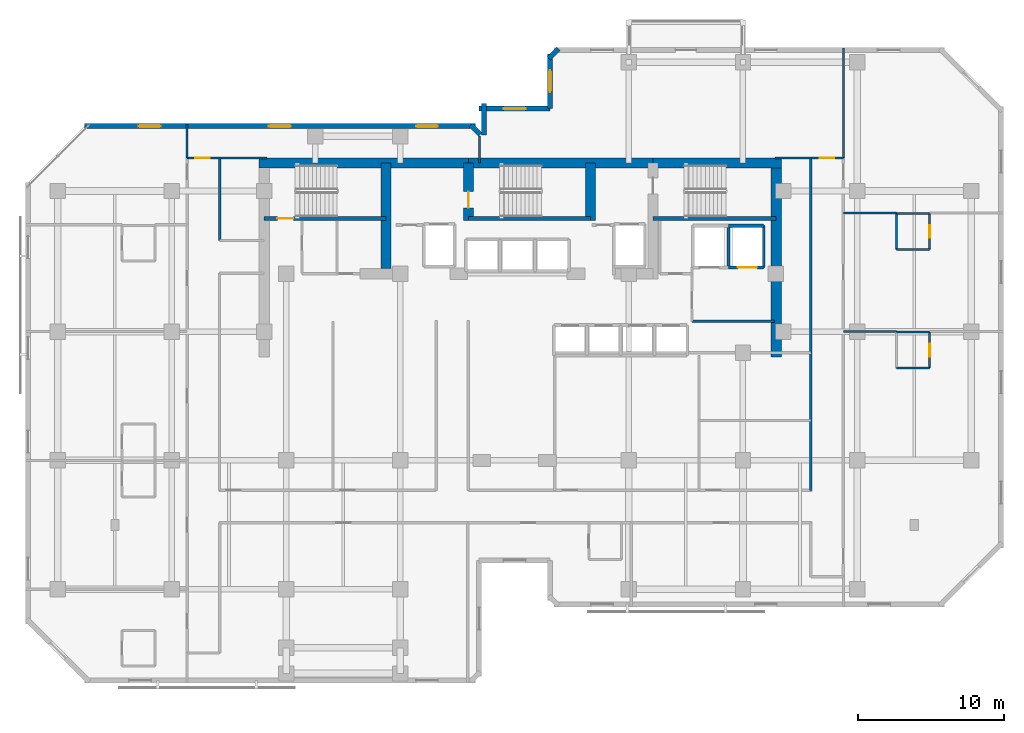
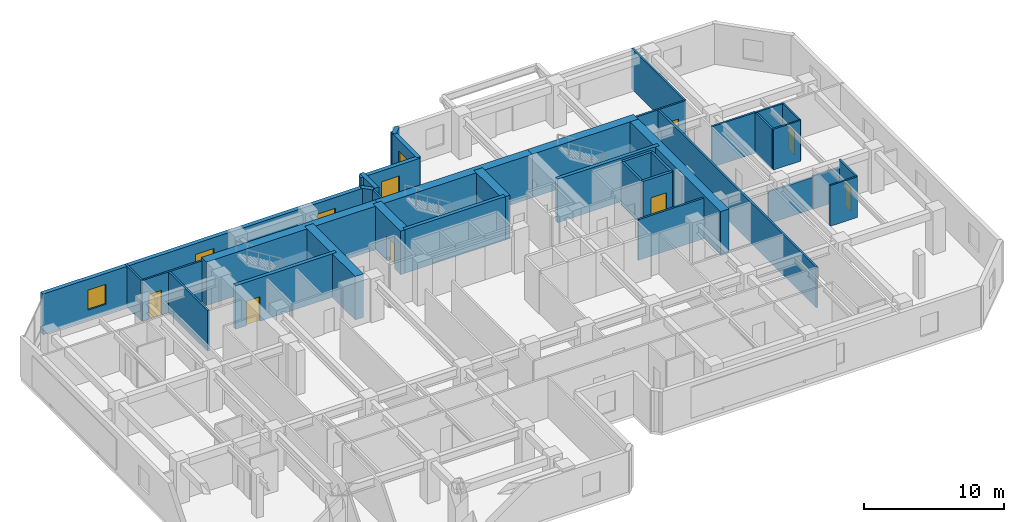
# One storey, part 7 of 10: 37 walls, 7 doors, 5 windows, 12 openings.
"""IFC4 building model written with IfcOpenShell, lengths in metres."""

from ifc_helpers import new_model, si_unit, direction, frame, frame_2d, origin, place, context, subcontext, project, spatial, rectangle, extrude, material, layer, layer_set, type_object, element, fill, save


model = new_model("IFC4")

# Units and contexts
model_context = context("Model", 3, precision=1e-05, world=origin(), true_north=direction((0.0, 1.0)))
body_context = subcontext(model_context, "Body", "Model", "MODEL_VIEW")
ifc_project = project(units=[si_unit("LENGTHUNIT", "METRE"), si_unit("AREAUNIT", "SQUARE_METRE"), si_unit("VOLUMEUNIT", "CUBIC_METRE"), si_unit("PLANEANGLEUNIT", "RADIAN"), si_unit("MASSUNIT", "GRAM", prefix="KILO")], contexts=[model_context])

# Site, building, storey
site_placement = place(None, origin())
site = spatial("IfcSite", under=ifc_project, at=site_placement, CompositionType="ELEMENT")
building_placement = place(site_placement, origin())
building = spatial("IfcBuilding", under=site, at=building_placement, Name="Kestravale Grand Hotel", CompositionType="ELEMENT")
storey_placement = place(building_placement, frame((0.0, 0.0, 149.800048828125)))
storey = spatial("IfcBuildingStorey", under=building, at=storey_placement, Name="L37", CompositionType="ELEMENT", Elevation=149.800048828125)

# Walls
ifc_material_1 = material(Name="Concrete f'c 60 MPa", Category="concrete")
ifc_layer_1 = layer(ifc_material_1, 0.699951171875)
ifc_layer_set_1 = layer_set([ifc_layer_1], Name="EW-CORE-700")
wall_type_1 = type_object("IfcWallType", Name="EW-CORE-700", PredefinedType="SHEAR", material=ifc_layer_set_1)
wall_1_placement = place(storey_placement, frame((21.550048828125, 40.320068359375, 0.0), z_axis=(0.0, 0.0, 1.0), x_axis=(1.0, 0.0, 0.0)))
element("IfcWall", 1, at=wall_1_placement, inside=storey, type_object=wall_type_1, Name="L37 core shear wall N1", PredefinedType="SHEAR", context=body_context, shape_type="SweptSolid", body=[
    extrude(rectangle(XDim=14.300048828125, YDim=0.699951171875, at=frame_2d((7.14990234375, 0.0))), origin(), (0.0, 0.0, 1.0), 3.800048828125),
])
wall_2_placement = place(storey_placement, frame((35.85009765625, 40.320068359375, 0.0), z_axis=(0.0, 0.0, 1.0), x_axis=(1.0, 0.0, 0.0)))
element("IfcWall", 2, at=wall_2_placement, inside=storey, type_object=wall_type_1, Name="L37 core shear wall N2", PredefinedType="SHEAR", context=body_context, shape_type="SweptSolid", body=[
    extrude(rectangle(XDim=12.599853515625, YDim=0.699951171875, at=frame_2d((6.2998046875, 0.0))), origin(), (0.0, 0.0, 1.0), 3.800048828125),
])
wall_3_placement = place(storey_placement, frame((48.449951171875, 40.320068359375, 0.0), z_axis=(0.0, 0.0, 1.0), x_axis=(1.0, 0.0, 0.0)))
element("IfcWall", 3, at=wall_3_placement, inside=storey, type_object=wall_type_1, Name="L37 core shear wall N3", PredefinedType="SHEAR", context=body_context, shape_type="SweptSolid", body=[
    extrude(rectangle(XDim=8.77001953125, YDim=0.699951171875, at=frame_2d((4.385009765625, 0.0))), origin(), (0.0, 0.0, 1.0), 3.800048828125),
])
wall_4_placement = place(storey_placement, frame((56.8701171875, 27.050048828125, 0.0), z_axis=(0.0, 0.0, 1.0), x_axis=(0.0, 1.0, 0.0)))
element("IfcWall", 4, at=wall_4_placement, inside=storey, type_object=wall_type_1, Name="L37 core shear wall E1", PredefinedType="SHEAR", context=body_context, shape_type="SweptSolid", body=[
    extrude(rectangle(XDim=13.619873046875, YDim=0.699951171875, at=frame_2d((6.81005859375, 0.0))), origin(), (0.0, 0.0, 1.0), 3.800048828125),
])
wall_5_placement = place(storey_placement, frame((30.219970703125, 33.10009765625, 0.0), z_axis=(0.0, 0.0, 1.0), x_axis=(0.0, 1.0, 0.0)))
element("IfcWall", 5, at=wall_5_placement, inside=storey, type_object=wall_type_1, Name="L37 core shear wall X1", PredefinedType="SHEAR", context=body_context, shape_type="SweptSolid", body=[
    extrude(rectangle(XDim=7.219970703125, YDim=0.699951171875, at=frame_2d((3.60986328125, 0.0))), origin(), (0.0, 0.0, 1.0), 3.800048828125),
])

# Wall, opening, door
wall_6_placement = place(storey_placement, frame((35.85009765625, 36.3701171875, 0.0), z_axis=(0.0, 0.0, 1.0), x_axis=(0.0, 1.0, 0.0)))
wall_6 = element("IfcWall", 6, at=wall_6_placement, inside=storey, type_object=wall_type_1, Name="L37 core shear wall X2", PredefinedType="SHEAR", context=body_context, shape_type="SweptSolid", body=[
    extrude(rectangle(XDim=3.949951171875, YDim=0.699951171875, at=frame_2d((1.97509765625, 0.0))), origin(), (0.0, 0.0, 1.0), 3.800048828125),
])
opening_1_placement = place(wall_6_placement, frame((0.8798828125, 0.0, 0.0)))
opening_1 = element("IfcOpeningElement", 7, at=opening_1_placement, cuts=wall_6, Name="Opening D-ST-1100", PredefinedType="OPENING", context=body_context, shape_type="SweptSolid", body=[
    extrude(rectangle(XDim=1.10009765625, YDim=2.14990234375, at=frame_2d((0.550048828125, 1.074951171875))), frame((0.0, 0.35986328125, 0.0), z_axis=(0.0, -1.0, 0.0), x_axis=(1.0, 0.0, 0.0)), (0.0, 0.0, 1.0), 0.719970703125),
])
ifc_material_2 = material(Name="Galvanised 90-minute fire-rated steel stair door", Category="steel")
door_type_1 = type_object("IfcDoorType", Name="D-ST-1100", OperationType="NOTDEFINED", PredefinedType="DOOR", material=ifc_material_2)
door_1_placement = place(opening_1_placement, origin())
door_1 = element("IfcDoor", 8, at=door_1_placement, inside=storey, type_object=door_type_1, Name="L37 Stair ST-2 FSAE fire door", OperationType="SINGLE_SWING_RIGHT", OverallHeight=2.14990234375, OverallWidth=1.10009765625, PredefinedType="DOOR", context=body_context, shape_type="SweptSolid", body=[
    extrude(rectangle(XDim=1.10009765625, YDim=2.14990234375, at=frame_2d((0.550048828125, 1.074951171875))), frame((0.0, 0.02490234375, 0.0), z_axis=(0.0, -1.0, 0.0), x_axis=(1.0, 0.0, 0.0)), (0.0, 0.0, 1.0), 0.050048828125),
])
fill(opening_1, door_1)

# Walls
wall_7_placement = place(storey_placement, frame((44.179931640625, 36.3701171875, 0.0), z_axis=(0.0, 0.0, 1.0), x_axis=(0.0, 1.0, 0.0)))
element("IfcWall", 9, at=wall_7_placement, inside=storey, type_object=wall_type_1, Name="L37 core shear wall X3", PredefinedType="SHEAR", context=body_context, shape_type="SweptSolid", body=[
    extrude(rectangle(XDim=3.949951171875, YDim=0.699951171875, at=frame_2d((1.97509765625, 0.0))), origin(), (0.0, 0.0, 1.0), 3.800048828125),
])
ifc_material_3 = material(Name="Precast concrete f'c 45 MPa", Category="concrete")
ifc_layer_2 = layer(ifc_material_3, 0.340087890625)
ifc_layer_set_2 = layer_set([ifc_layer_2], Name="EW-PREC-340")
wall_type_2 = type_object("IfcWallType", Name="EW-PREC-340", PredefinedType="SOLIDWALL", material=ifc_layer_set_2)
wall_8_placement = place(storey_placement, frame((41.99853515625, 48.108154296875, 0.0), z_axis=(0.0, 0.0, 1.0), x_axis=(-0.707106781187, -0.707106781187, 0.0)))
element("IfcWall", 10, at=wall_8_placement, inside=storey, type_object=wall_type_2, Name="L37 fluted precast facade wall 12", PredefinedType="SOLIDWALL", context=body_context, shape_type="SweptSolid", body=[
    extrude(rectangle(XDim=0.9287109375, YDim=0.340087890625, at=frame_2d((0.46435546875, 0.0))), origin(), (0.0, 0.0, 1.0), 3.550048828125),
])

# Wall, opening, window
wall_9_placement = place(storey_placement, frame((41.419921875, 47.77001953125, 0.0), z_axis=(0.0, 0.0, 1.0), x_axis=(0.0, -1.0, 0.0)))
wall_9 = element("IfcWall", 11, at=wall_9_placement, inside=storey, type_object=wall_type_2, Name="L37 fluted precast facade wall 13", PredefinedType="SOLIDWALL", context=body_context, shape_type="SweptSolid", body=[
    extrude(rectangle(XDim=3.739990234375, YDim=0.340087890625, at=frame_2d((1.8701171875, 0.0))), origin(), (0.0, 0.0, 1.0), 3.550048828125),
])
opening_2_placement = place(wall_9_placement, frame((1.1201171875, 0.0, 0.85009765625)))
opening_2 = element("IfcOpeningElement", 12, at=opening_2_placement, cuts=wall_9, Name="Opening W-GUEST-1500", PredefinedType="OPENING", context=body_context, shape_type="SweptSolid", body=[
    extrude(rectangle(XDim=1.5, YDim=1.75, at=frame_2d((0.75, 0.875))), frame((0.0, 0.179931640625, 0.0), z_axis=(0.0, -1.0, 0.0), x_axis=(1.0, 0.0, 0.0)), (0.0, 0.0, 1.0), 0.360107421875),
])
ifc_material_4 = material(Name="Insulated low-E double glazing in aluminium frame", Category="aluminium")
window_type = type_object("IfcWindowType", Name="W-GUEST-1500", PartitioningType="SINGLE_PANEL", PredefinedType="WINDOW", material=ifc_material_4)
window_1_placement = place(opening_2_placement, origin())
window_1 = element("IfcWindow", 13, at=window_1_placement, inside=storey, type_object=window_type, Name="L37 exterior window 13.1", OverallHeight=1.75, OverallWidth=1.5, PartitioningType="SINGLE_PANEL", PredefinedType="WINDOW", context=body_context, shape_type="SweptSolid", body=[
    extrude(rectangle(XDim=1.5, YDim=1.75, at=frame_2d((0.75, 0.875))), frame((0.0, 0.030029296875, 0.0), z_axis=(0.0, -1.0, 0.0), x_axis=(1.0, 0.0, 0.0)), (0.0, 0.0, 1.0), 0.06005859375),
])
fill(opening_2, window_1)

wall_10_placement = place(storey_placement, frame((41.419921875, 44.030029296875, 0.0), z_axis=(0.0, 0.0, 1.0), x_axis=(-1.0, 0.0, 0.0)))
wall_10 = element("IfcWall", 14, at=wall_10_placement, inside=storey, type_object=wall_type_2, Name="L37 fluted precast facade wall 14", PredefinedType="SOLIDWALL", context=body_context, shape_type="SweptSolid", body=[
    extrude(rectangle(XDim=4.83984375, YDim=0.340087890625, at=frame_2d((2.419921875, 0.0))), origin(), (0.0, 0.0, 1.0), 3.550048828125),
])
opening_3_placement = place(wall_10_placement, frame((1.669921875, 0.0, 0.85009765625)))
opening_3 = element("IfcOpeningElement", 15, at=opening_3_placement, cuts=wall_10, Name="Opening W-GUEST-1500", PredefinedType="OPENING", context=body_context, shape_type="SweptSolid", body=[
    extrude(rectangle(XDim=1.5, YDim=1.75, at=frame_2d((0.75, 0.875))), frame((0.0, 0.179931640625, 0.0), z_axis=(0.0, -1.0, 0.0), x_axis=(1.0, 0.0, 0.0)), (0.0, 0.0, 1.0), 0.360107421875),
])
window_2_placement = place(opening_3_placement, origin())
window_2 = element("IfcWindow", 16, at=window_2_placement, inside=storey, type_object=window_type, Name="L37 exterior window 14.1", OverallHeight=1.75, OverallWidth=1.5, PartitioningType="SINGLE_PANEL", PredefinedType="WINDOW", context=body_context, shape_type="SweptSolid", body=[
    extrude(rectangle(XDim=1.5, YDim=1.75, at=frame_2d((0.75, 0.875))), frame((0.0, 0.030029296875, 0.0), z_axis=(0.0, -1.0, 0.0), x_axis=(1.0, 0.0, 0.0)), (0.0, 0.0, 1.0), 0.06005859375),
])
fill(opening_3, window_2)

# Walls
wall_11_placement = place(storey_placement, frame((36.919921875, 44.3701171875, 0.0), z_axis=(0.0, 0.0, 1.0), x_axis=(0.0, -1.0, 0.0)))
element("IfcWall", 17, at=wall_11_placement, inside=storey, type_object=wall_type_2, Name="L37 fluted precast facade wall 15", PredefinedType="SOLIDWALL", context=body_context, shape_type="SweptSolid", body=[
    extrude(rectangle(XDim=2.14013671875, YDim=0.340087890625, at=frame_2d((1.070068359375, 0.0))), origin(), (0.0, 0.0, 1.0), 3.550048828125),
])
wall_12_placement = place(storey_placement, frame((36.658203125, 42.25146484375, 0.0), z_axis=(0.0, 0.0, 1.0), x_axis=(-0.707106781187, 0.707106781187, 0.0)))
element("IfcWall", 18, at=wall_12_placement, inside=storey, type_object=wall_type_2, Name="L37 fluted precast facade wall 16", PredefinedType="SOLIDWALL", context=body_context, shape_type="SweptSolid", body=[
    extrude(rectangle(XDim=0.9287109375, YDim=0.340087890625, at=frame_2d((0.46435546875, 0.0))), origin(), (0.0, 0.0, 1.0), 3.550048828125),
])

# Wall, openings, windows
wall_13_placement = place(storey_placement, frame((36.320068359375, 42.830078125, 0.0), z_axis=(0.0, 0.0, 1.0), x_axis=(-1.0, 0.0, 0.0)))
wall_13 = element("IfcWall", 19, at=wall_13_placement, inside=storey, type_object=wall_type_2, Name="L37 fluted precast facade wall 17", PredefinedType="SOLIDWALL", context=body_context, shape_type="SweptSolid", body=[
    extrude(rectangle(XDim=26.690185546875, YDim=0.340087890625, at=frame_2d((13.34521484375, 0.0))), origin(), (0.0, 0.0, 1.0), 3.550048828125),
])
opening_4_placement = place(wall_13_placement, frame((2.54833984375, 0.0, 0.85009765625)))
opening_4 = element("IfcOpeningElement", 20, at=opening_4_placement, cuts=wall_13, Name="Opening W-GUEST-1500", PredefinedType="OPENING", context=body_context, shape_type="SweptSolid", body=[
    extrude(rectangle(XDim=1.5, YDim=1.75, at=frame_2d((0.75, 0.875))), frame((0.0, 0.179931640625, 0.0), z_axis=(0.0, -1.0, 0.0), x_axis=(1.0, 0.0, 0.0)), (0.0, 0.0, 1.0), 0.360107421875),
])
opening_5_placement = place(wall_13_placement, frame((12.594970703125, 0.0, 0.85009765625)))
opening_5 = element("IfcOpeningElement", 21, at=opening_5_placement, cuts=wall_13, Name="Opening W-GUEST-1500", PredefinedType="OPENING", context=body_context, shape_type="SweptSolid", body=[
    extrude(rectangle(XDim=1.5, YDim=1.75, at=frame_2d((0.75, 0.875))), frame((0.0, 0.179931640625, 0.0), z_axis=(0.0, -1.0, 0.0), x_axis=(1.0, 0.0, 0.0)), (0.0, 0.0, 1.0), 0.360107421875),
])
opening_6_placement = place(wall_13_placement, frame((21.49169921875, 0.0, 0.85009765625)))
opening_6 = element("IfcOpeningElement", 22, at=opening_6_placement, cuts=wall_13, Name="Opening W-GUEST-1500", PredefinedType="OPENING", context=body_context, shape_type="SweptSolid", body=[
    extrude(rectangle(XDim=1.5, YDim=1.75, at=frame_2d((0.75, 0.875))), frame((0.0, 0.179931640625, 0.0), z_axis=(0.0, -1.0, 0.0), x_axis=(1.0, 0.0, 0.0)), (0.0, 0.0, 1.0), 0.360107421875),
])
window_3_placement = place(opening_4_placement, origin())
window_3 = element("IfcWindow", 23, at=window_3_placement, inside=storey, type_object=window_type, Name="L37 exterior window 17.1", OverallHeight=1.75, OverallWidth=1.5, PartitioningType="SINGLE_PANEL", PredefinedType="WINDOW", context=body_context, shape_type="SweptSolid", body=[
    extrude(rectangle(XDim=1.5, YDim=1.75, at=frame_2d((0.75, 0.875))), frame((0.0, 0.030029296875, 0.0), z_axis=(0.0, -1.0, 0.0), x_axis=(1.0, 0.0, 0.0)), (0.0, 0.0, 1.0), 0.06005859375),
])
fill(opening_4, window_3)
window_4_placement = place(opening_5_placement, origin())
window_4 = element("IfcWindow", 24, at=window_4_placement, inside=storey, type_object=window_type, Name="L37 exterior window 17.2", OverallHeight=1.75, OverallWidth=1.5, PartitioningType="SINGLE_PANEL", PredefinedType="WINDOW", context=body_context, shape_type="SweptSolid", body=[
    extrude(rectangle(XDim=1.5, YDim=1.75, at=frame_2d((0.75, 0.875))), frame((0.0, 0.030029296875, 0.0), z_axis=(0.0, -1.0, 0.0), x_axis=(1.0, 0.0, 0.0)), (0.0, 0.0, 1.0), 0.06005859375),
])
fill(opening_5, window_4)
window_5_placement = place(opening_6_placement, origin())
window_5 = element("IfcWindow", 25, at=window_5_placement, inside=storey, type_object=window_type, Name="L37 exterior window 17.3", OverallHeight=1.75, OverallWidth=1.5, PartitioningType="SINGLE_PANEL", PredefinedType="WINDOW", context=body_context, shape_type="SweptSolid", body=[
    extrude(rectangle(XDim=1.5, YDim=1.75, at=frame_2d((0.75, 0.875))), frame((0.0, 0.030029296875, 0.0), z_axis=(0.0, -1.0, 0.0), x_axis=(1.0, 0.0, 0.0)), (0.0, 0.0, 1.0), 0.06005859375),
])
fill(opening_6, window_5)

# Wall, opening, door
ifc_material_5 = material(Name="Concrete f'c 45 MPa", Category="concrete")
ifc_layer_3 = layer(ifc_material_5, 0.300048828125)
ifc_layer_set_3 = layer_set([ifc_layer_3], Name="EW-STAIR-300")
wall_type_3 = type_object("IfcWallType", Name="EW-STAIR-300", PredefinedType="SHEAR", material=ifc_layer_set_3)
wall_14_placement = place(storey_placement, frame((21.89990234375, 36.52001953125, 0.0), z_axis=(0.0, 0.0, 1.0), x_axis=(1.0, 0.0, 0.0)))
wall_14 = element("IfcWall", 26, at=wall_14_placement, inside=storey, type_object=wall_type_3, Name="L37 stair enclosure shear wall SST1", PredefinedType="SHEAR", context=body_context, shape_type="SweptSolid", body=[
    extrude(rectangle(XDim=8.320068359375, YDim=0.300048828125, at=frame_2d((4.16015625, 0.0))), origin(), (0.0, 0.0, 1.0), 3.800048828125),
])
opening_7_placement = place(wall_14_placement, frame((0.89990234375, 0.0, 0.0)))
opening_7 = element("IfcOpeningElement", 27, at=opening_7_placement, cuts=wall_14, Name="Opening D-ST-1100", PredefinedType="OPENING", context=body_context, shape_type="SweptSolid", body=[
    extrude(rectangle(XDim=1.10009765625, YDim=2.14990234375, at=frame_2d((0.550048828125, 1.074951171875))), frame((0.0, 0.159912109375, 0.0), z_axis=(0.0, -1.0, 0.0), x_axis=(1.0, 0.0, 0.0)), (0.0, 0.0, 1.0), 0.320068359375),
])
door_2_placement = place(opening_7_placement, origin())
door_2 = element("IfcDoor", 28, at=door_2_placement, inside=storey, type_object=door_type_1, Name="L37 Stair ST-1 fire door", OperationType="SINGLE_SWING_RIGHT", OverallHeight=2.14990234375, OverallWidth=1.10009765625, PredefinedType="DOOR", context=body_context, shape_type="SweptSolid", body=[
    extrude(rectangle(XDim=1.10009765625, YDim=2.14990234375, at=frame_2d((0.550048828125, 1.074951171875))), frame((0.0, 0.02490234375, 0.0), z_axis=(0.0, -1.0, 0.0), x_axis=(1.0, 0.0, 0.0)), (0.0, 0.0, 1.0), 0.050048828125),
])
fill(opening_7, door_2)

# Walls
wall_15_placement = place(storey_placement, frame((35.85009765625, 36.52001953125, 0.0), z_axis=(0.0, 0.0, 1.0), x_axis=(1.0, 0.0, 0.0)))
element("IfcWall", 29, at=wall_15_placement, inside=storey, type_object=wall_type_3, Name="L37 stair enclosure shear wall SST2", PredefinedType="SHEAR", context=body_context, shape_type="SweptSolid", body=[
    extrude(rectangle(XDim=8.329833984375, YDim=0.300048828125, at=frame_2d((4.1650390625, 0.0))), origin(), (0.0, 0.0, 1.0), 3.800048828125),
])
wall_16_placement = place(storey_placement, frame((48.449951171875, 36.52001953125, 0.0), z_axis=(0.0, 0.0, 1.0), x_axis=(1.0, 0.0, 0.0)))
element("IfcWall", 30, at=wall_16_placement, inside=storey, type_object=wall_type_3, Name="L37 stair enclosure shear wall SST3", PredefinedType="SHEAR", context=body_context, shape_type="SweptSolid", body=[
    extrude(rectangle(XDim=8.420166015625, YDim=0.300048828125, at=frame_2d((4.2099609375, 0.0))), origin(), (0.0, 0.0, 1.0), 3.800048828125),
])
ifc_material_6 = material(Name="Acoustic fire-rated gypsum board partition", Category="other")
ifc_layer_4 = layer(ifc_material_6, 0.159912109375)
ifc_layer_set_4 = layer_set([ifc_layer_4], Name="IW-CORR-160")
wall_type_4 = type_object("IfcWallType", Name="IW-CORR-160", PredefinedType="PARTITIONING", material=ifc_layer_set_4)
for number, where, z_axis, x_axis, name in (
    (31, (51.1201171875, 29.5, 0.0), (0.0, 0.0, 1.0), (1.0, 0.0, 0.0), "L37 service lift lobby wall"),
    (32, (18.860107421875, 35.02001953125, 0.0), (0.0, 0.0, 1.0), (0.0, 1.0, 0.0), "W-L37-SW-EN"),
):
    element("IfcWall", number, at=place(storey_placement, frame(where, z_axis=z_axis, x_axis=x_axis)), inside=storey, type_object=wall_type_4, Name=name, PredefinedType="PARTITIONING", context=body_context, shape_type="SweptSolid", body=[
        extrude(rectangle(XDim=5.6298828125, YDim=0.159912109375, at=frame_2d((2.81494140625, 0.0))), origin(), (0.0, 0.0, 1.0), 3.550048828125),
    ])
wall_17_placement = place(storey_placement, frame((59.239990234375, 17.9599609375, 0.0), z_axis=(0.0, 0.0, 1.0), x_axis=(0.0, 1.0, 0.0)))
element("IfcWall", 33, at=wall_17_placement, inside=storey, type_object=wall_type_4, Name="W-L37-SE-WU", PredefinedType="PARTITIONING", context=body_context, shape_type="SweptSolid", body=[
    extrude(rectangle(XDim=22.68994140625, YDim=0.159912109375, at=frame_2d((11.344970703125, 0.0))), origin(), (0.0, 0.0, 1.0), 3.550048828125),
])

# Wall, opening, door
ifc_material_7 = material(Name="Moisture-resistant tile-backer plumbing chase wall", Category="other")
ifc_layer_5 = layer(ifc_material_7, 0.139892578125)
ifc_layer_set_5 = layer_set([ifc_layer_5], Name="IW-PLB-140")
wall_type_5 = type_object("IfcWallType", Name="IW-PLB-140", PredefinedType="PLUMBINGWALL", material=ifc_layer_set_5)
wall_18_placement = place(storey_placement, frame((67.35009765625, 26.31005859375, 0.0), z_axis=(0.0, 0.0, 1.0), x_axis=(0.0, 1.0, 0.0)))
wall_18 = element("IfcWall", 34, at=wall_18_placement, inside=storey, type_object=wall_type_5, Name="W-L37-U06-BE", PredefinedType="PLUMBINGWALL", context=body_context, shape_type="SweptSolid", body=[
    extrude(rectangle(XDim=2.449951171875, YDim=0.139892578125, at=frame_2d((1.22509765625, 0.0))), origin(), (0.0, 0.0, 1.0), 3.550048828125),
])
opening_8_placement = place(wall_18_placement, frame((0.784912109375, 0.0, 0.0)))
opening_8 = element("IfcOpeningElement", 35, at=opening_8_placement, cuts=wall_18, Name="Opening D-BATH-880", PredefinedType="OPENING", context=body_context, shape_type="SweptSolid", body=[
    extrude(rectangle(XDim=0.8798828125, YDim=2.050048828125, at=frame_2d((0.43994140625, 1.02490234375))), frame((0.0, 0.079833984375, 0.0), z_axis=(0.0, -1.0, 0.0), x_axis=(1.0, 0.0, 0.0)), (0.0, 0.0, 1.0), 0.159912109375),
])
ifc_material_8 = material(Name="Moisture-sealed walnut en-suite bathroom door", Category="wood")
door_type_2 = type_object("IfcDoorType", Name="D-BATH-880", OperationType="NOTDEFINED", PredefinedType="DOOR", material=ifc_material_8)
door_3_placement = place(opening_8_placement, origin())
door_3 = element("IfcDoor", 36, at=door_3_placement, inside=storey, type_object=door_type_2, Name="D-L37-U06-BATH", OperationType="SINGLE_SWING_RIGHT", OverallHeight=2.050048828125, OverallWidth=0.8798828125, PredefinedType="DOOR", context=body_context, shape_type="SweptSolid", body=[
    extrude(rectangle(XDim=0.8798828125, YDim=2.050048828125, at=frame_2d((0.43994140625, 1.02490234375))), frame((0.0, 0.02490234375, 0.0), z_axis=(0.0, -1.0, 0.0), x_axis=(1.0, 0.0, 0.0)), (0.0, 0.0, 1.0), 0.050048828125),
])
fill(opening_8, door_3)

# Walls
wall_19_placement = place(storey_placement, frame((65.10009765625, 26.31005859375, 0.0), z_axis=(0.0, 0.0, 1.0), x_axis=(1.0, 0.0, 0.0)))
element("IfcWall", 37, at=wall_19_placement, inside=storey, type_object=wall_type_5, Name="W-L37-U06-BS", PredefinedType="PLUMBINGWALL", context=body_context, shape_type="SweptSolid", body=[
    extrude(rectangle(XDim=2.25, YDim=0.139892578125, at=frame_2d((1.125, 0.0))), origin(), (0.0, 0.0, 1.0), 3.550048828125),
])
wall_20_placement = place(storey_placement, frame((65.10009765625, 28.760009765625, 0.0), z_axis=(0.0, 0.0, 1.0), x_axis=(1.0, 0.0, 0.0)))
element("IfcWall", 38, at=wall_20_placement, inside=storey, type_object=wall_type_5, Name="W-L37-U06-BN", PredefinedType="PLUMBINGWALL", context=body_context, shape_type="SweptSolid", body=[
    extrude(rectangle(XDim=2.25, YDim=0.139892578125, at=frame_2d((1.125, 0.0))), origin(), (0.0, 0.0, 1.0), 2.89990234375),
])
wall_21_placement = place(storey_placement, frame((65.10009765625, 34.409912109375, 0.0), z_axis=(0.0, 0.0, 1.0), x_axis=(0.0, 1.0, 0.0)))
element("IfcWall", 39, at=wall_21_placement, inside=storey, type_object=wall_type_5, Name="W-L37-U07-BW", PredefinedType="PLUMBINGWALL", context=body_context, shape_type="SweptSolid", body=[
    extrude(rectangle(XDim=2.4501953125, YDim=0.139892578125, at=frame_2d((1.22509765625, 0.0))), origin(), (0.0, 0.0, 1.0), 3.550048828125),
])

# Wall, opening, door
wall_22_placement = place(storey_placement, frame((67.35009765625, 34.409912109375, 0.0), z_axis=(0.0, 0.0, 1.0), x_axis=(0.0, 1.0, 0.0)))
wall_22 = element("IfcWall", 40, at=wall_22_placement, inside=storey, type_object=wall_type_5, Name="W-L37-U07-BE", PredefinedType="PLUMBINGWALL", context=body_context, shape_type="SweptSolid", body=[
    extrude(rectangle(XDim=2.4501953125, YDim=0.139892578125, at=frame_2d((1.22509765625, 0.0))), origin(), (0.0, 0.0, 1.0), 3.550048828125),
])
opening_9_placement = place(wall_22_placement, frame((0.784912109375, 0.0, 0.0)))
opening_9 = element("IfcOpeningElement", 41, at=opening_9_placement, cuts=wall_22, Name="Opening D-BATH-880", PredefinedType="OPENING", context=body_context, shape_type="SweptSolid", body=[
    extrude(rectangle(XDim=0.8798828125, YDim=2.050048828125, at=frame_2d((0.43994140625, 1.02490234375))), frame((0.0, 0.079833984375, 0.0), z_axis=(0.0, -1.0, 0.0), x_axis=(1.0, 0.0, 0.0)), (0.0, 0.0, 1.0), 0.159912109375),
])
door_4_placement = place(opening_9_placement, origin())
door_4 = element("IfcDoor", 42, at=door_4_placement, inside=storey, type_object=door_type_2, Name="D-L37-U07-BATH", OperationType="SINGLE_SWING_RIGHT", OverallHeight=2.050048828125, OverallWidth=0.8798828125, PredefinedType="DOOR", context=body_context, shape_type="SweptSolid", body=[
    extrude(rectangle(XDim=0.8798828125, YDim=2.050048828125, at=frame_2d((0.43994140625, 1.02490234375))), frame((0.0, 0.02490234375, 0.0), z_axis=(0.0, -1.0, 0.0), x_axis=(1.0, 0.0, 0.0)), (0.0, 0.0, 1.0), 0.050048828125),
])
fill(opening_9, door_4)

# Walls
for number, where, z_axis, x_axis, name in (
    (43, (65.10009765625, 34.409912109375, 0.0), (0.0, 0.0, 1.0), (1.0, 0.0, 0.0), "W-L37-U07-BS"),
    (44, (65.10009765625, 36.860107421875, 0.0), (0.0, 0.0, 1.0), (1.0, 0.0, 0.0), "W-L37-U07-BN"),
):
    element("IfcWall", number, at=place(storey_placement, frame(where, z_axis=z_axis, x_axis=x_axis)), inside=storey, type_object=wall_type_5, Name=name, PredefinedType="PLUMBINGWALL", context=body_context, shape_type="SweptSolid", body=[
        extrude(rectangle(XDim=2.25, YDim=0.139892578125, at=frame_2d((1.125, 0.0))), origin(), (0.0, 0.0, 1.0), 3.550048828125),
    ])
ifc_material_9 = material(Name="Concrete f'c 45 MPa", Category="concrete")
ifc_layer_6 = layer(ifc_material_9, 0.199951171875)
ifc_layer_set_6 = layer_set([ifc_layer_6], Name="IW-SHAFT-200")
wall_type_6 = type_object("IfcWallType", Name="IW-SHAFT-200", PredefinedType="SHEAR", material=ifc_layer_set_6)
for number, where, z_axis, x_axis, name in (
    (45, (53.60009765625, 33.169921875, 0.0), (0.0, 0.0, 1.0), (0.0, 1.0, 0.0), "L37 SL-2 west shaft wall"),
    (46, (56.02001953125, 33.169921875, 0.0), (0.0, 0.0, 1.0), (0.0, 1.0, 0.0), "L37 SL-2 east shaft wall"),
):
    element("IfcWall", number, at=place(storey_placement, frame(where, z_axis=z_axis, x_axis=x_axis)), inside=storey, type_object=wall_type_6, Name=name, PredefinedType="SHEAR", context=body_context, shape_type="SweptSolid", body=[
        extrude(rectangle(XDim=2.860107421875, YDim=0.199951171875, at=frame_2d((1.43017578125, 0.0))), origin(), (0.0, 0.0, 1.0), 3.800048828125),
    ])
ifc_material_10 = material(Name="Concrete f'c 45 MPa", Category="concrete")
ifc_layer_7 = layer(ifc_material_10, 0.219970703125)
ifc_layer_set_7 = layer_set([ifc_layer_7], Name="IW-SHAFT-220")
wall_type_7 = type_object("IfcWallType", Name="IW-SHAFT-220", PredefinedType="SHEAR", material=ifc_layer_set_7)
wall_23_placement = place(storey_placement, frame((53.60009765625, 36.030029296875, 0.0), z_axis=(0.0, 0.0, 1.0), x_axis=(1.0, 0.0, 0.0)))
element("IfcWall", 47, at=wall_23_placement, inside=storey, type_object=wall_type_7, Name="L37 SL-2 north shaft wall", PredefinedType="SHEAR", context=body_context, shape_type="SweptSolid", body=[
    extrude(rectangle(XDim=2.419921875, YDim=0.219970703125, at=frame_2d((1.2099609375, 0.0))), origin(), (0.0, 0.0, 1.0), 3.800048828125),
])

# Wall, opening, door
wall_24_placement = place(storey_placement, frame((53.60009765625, 33.169921875, 0.0), z_axis=(0.0, 0.0, 1.0), x_axis=(1.0, 0.0, 0.0)))
wall_24 = element("IfcWall", 48, at=wall_24_placement, inside=storey, type_object=wall_type_7, Name="L37 SL-2 south shaft wall", PredefinedType="SHEAR", context=body_context, shape_type="SweptSolid", body=[
    extrude(rectangle(XDim=2.419921875, YDim=0.219970703125, at=frame_2d((1.2099609375, 0.0))), origin(), (0.0, 0.0, 1.0), 3.800048828125),
])
opening_10_placement = place(wall_24_placement, frame((0.64990234375, 0.0, 0.0)))
opening_10 = element("IfcOpeningElement", 49, at=opening_10_placement, cuts=wall_24, Name="Opening LD-SVC-1300", PredefinedType="OPENING", context=body_context, shape_type="SweptSolid", body=[
    extrude(rectangle(XDim=1.300048828125, YDim=2.14990234375, at=frame_2d((0.64990234375, 1.074951171875))), frame((0.0, 0.119873046875, 0.0), z_axis=(0.0, -1.0, 0.0), x_axis=(1.0, 0.0, 0.0)), (0.0, 0.0, 1.0), 0.239990234375),
])
ifc_material_11 = material(Name="Heavy-duty service sliding elevator landing door", Category="steel")
door_type_3 = type_object("IfcDoorType", Name="LD-SVC-1300", OperationType="NOTDEFINED", PredefinedType="DOOR", material=ifc_material_11)
door_5_placement = place(opening_10_placement, origin())
door_5 = element("IfcDoor", 50, at=door_5_placement, inside=storey, type_object=door_type_3, Name="L37 SL-2 elevator landing sliding door", OperationType="DOUBLE_DOOR_SLIDING", OverallHeight=2.14990234375, OverallWidth=1.300048828125, PredefinedType="DOOR", context=body_context, shape_type="SweptSolid", body=[
    extrude(rectangle(XDim=1.300048828125, YDim=2.14990234375, at=frame_2d((0.64990234375, 1.074951171875))), frame((0.0, 0.02490234375, 0.0), z_axis=(0.0, -1.0, 0.0), x_axis=(1.0, 0.0, 0.0)), (0.0, 0.0, 1.0), 0.050048828125),
])
fill(opening_10, door_5)

ifc_material_12 = material(Name="Double-stud STC 52 acoustic demising partition", Category="other")
ifc_layer_8 = layer(ifc_material_12, 0.14990234375)
ifc_layer_set_8 = layer_set([ifc_layer_8], Name="IW-UNIT-150")
wall_type_8 = type_object("IfcWallType", Name="IW-UNIT-150", PredefinedType="PARTITIONING", material=ifc_layer_set_8)
wall_25_placement = place(storey_placement, frame((16.639892578125, 40.64990234375, 0.0), z_axis=(0.0, 0.0, 1.0), x_axis=(1.0, 0.0, 0.0)))
wall_25 = element("IfcWall", 51, at=wall_25_placement, inside=storey, type_object=wall_type_8, Name="W-L37-SW-N", PredefinedType="PARTITIONING", context=body_context, shape_type="SweptSolid", body=[
    extrude(rectangle(XDim=5.460205078125, YDim=0.14990234375, at=frame_2d((2.72998046875, 0.0))), origin(), (0.0, 0.0, 1.0), 3.550048828125),
])
opening_11_placement = place(wall_25_placement, frame((0.550048828125, 0.0, 0.0)))
opening_11 = element("IfcOpeningElement", 52, at=opening_11_placement, cuts=wall_25, Name="Opening D-GUEST-1000", PredefinedType="OPENING", context=body_context, shape_type="SweptSolid", body=[
    extrude(rectangle(XDim=1.0, YDim=2.14990234375, at=frame_2d((0.5, 1.074951171875))), frame((0.0, 0.0849609375, 0.0), z_axis=(0.0, -1.0, 0.0), x_axis=(1.0, 0.0, 0.0)), (0.0, 0.0, 1.0), 0.169921875),
])
ifc_material_13 = material(Name="Accessible walnut veneer hotel entrance fire door", Category="wood")
door_type_4 = type_object("IfcDoorType", Name="D-GUEST-1000", OperationType="NOTDEFINED", PredefinedType="DOOR", material=ifc_material_13)
door_6_placement = place(opening_11_placement, origin())
door_6 = element("IfcDoor", 53, at=door_6_placement, inside=storey, type_object=door_type_4, Name="L37 NW Gallery Door", OperationType="SINGLE_SWING_RIGHT", OverallHeight=2.14990234375, OverallWidth=1.0, PredefinedType="DOOR", context=body_context, shape_type="SweptSolid", body=[
    extrude(rectangle(XDim=1.0, YDim=2.14990234375, at=frame_2d((0.5, 1.074951171875))), frame((0.0, 0.02490234375, 0.0), z_axis=(0.0, -1.0, 0.0), x_axis=(1.0, 0.0, 0.0)), (0.0, 0.0, 1.0), 0.050048828125),
])
fill(opening_11, door_6)

wall_26_placement = place(storey_placement, frame((56.800048828125, 40.64990234375, 0.0), z_axis=(0.0, 0.0, 1.0), x_axis=(1.0, 0.0, 0.0)))
wall_26 = element("IfcWall", 54, at=wall_26_placement, inside=storey, type_object=wall_type_8, Name="W-L37-SE-N", PredefinedType="PARTITIONING", context=body_context, shape_type="SweptSolid", body=[
    extrude(rectangle(XDim=4.659912109375, YDim=0.14990234375, at=frame_2d((2.330078125, 0.0))), origin(), (0.0, 0.0, 1.0), 3.550048828125),
])
opening_12_placement = place(wall_26_placement, frame((3.050048828125, 0.0, 0.0)))
opening_12 = element("IfcOpeningElement", 55, at=opening_12_placement, cuts=wall_26, Name="Opening D-GUEST-1000", PredefinedType="OPENING", context=body_context, shape_type="SweptSolid", body=[
    extrude(rectangle(XDim=1.0, YDim=2.14990234375, at=frame_2d((0.5, 1.074951171875))), frame((0.0, 0.0849609375, 0.0), z_axis=(0.0, -1.0, 0.0), x_axis=(1.0, 0.0, 0.0)), (0.0, 0.0, 1.0), 0.169921875),
])
door_7_placement = place(opening_12_placement, origin())
door_7 = element("IfcDoor", 56, at=door_7_placement, inside=storey, type_object=door_type_4, Name="L37 NE Gallery Door", OperationType="SINGLE_SWING_LEFT", OverallHeight=2.14990234375, OverallWidth=1.0, PredefinedType="DOOR", context=body_context, shape_type="SweptSolid", body=[
    extrude(rectangle(XDim=1.0, YDim=2.14990234375, at=frame_2d((0.5, 1.074951171875))), frame((0.0, 0.02490234375, 0.0), z_axis=(0.0, -1.0, 0.0), x_axis=(1.0, 0.0, 0.0)), (0.0, 0.0, 1.0), 0.050048828125),
])
fill(opening_12, door_7)

# Walls
wall_27_placement = place(storey_placement, frame((16.639892578125, 40.64990234375, 0.0), z_axis=(0.0, 0.0, 1.0), x_axis=(0.0, 1.0, 0.0)))
element("IfcWall", 57, at=wall_27_placement, inside=storey, type_object=wall_type_8, Name="W-L37-NGW-W", PredefinedType="PARTITIONING", context=body_context, shape_type="SweptSolid", body=[
    extrude(rectangle(XDim=2.330078125, YDim=0.14990234375, at=frame_2d((1.1650390625, 0.0))), origin(), (0.0, 0.0, 1.0), 3.550048828125),
])
wall_28_placement = place(storey_placement, frame((36.60009765625, 40.320068359375, 0.0), z_axis=(0.0, 0.0, 1.0), x_axis=(0.0, 1.0, 0.0)))
element("IfcWall", 58, at=wall_28_placement, inside=storey, type_object=wall_type_8, Name="W-L37-NGM", PredefinedType="PARTITIONING", context=body_context, shape_type="SweptSolid", body=[
    extrude(rectangle(XDim=1.844970703125, YDim=0.14990234375, at=frame_2d((0.92236328125, 0.0))), origin(), (0.0, 0.0, 1.0), 3.550048828125),
])
wall_29_placement = place(storey_placement, frame((61.4599609375, 40.64990234375, 0.0), z_axis=(0.0, 0.0, 1.0), x_axis=(0.0, 1.0, 0.0)))
element("IfcWall", 59, at=wall_29_placement, inside=storey, type_object=wall_type_8, Name="W-L37-NGE-E", PredefinedType="PARTITIONING", context=body_context, shape_type="SweptSolid", body=[
    extrude(rectangle(XDim=7.530029296875, YDim=0.14990234375, at=frame_2d((3.76513671875, 0.0))), origin(), (0.0, 0.0, 1.0), 3.550048828125),
])
wall_30_placement = place(storey_placement, frame((61.4599609375, 28.800048828125, 0.0), z_axis=(0.0, 0.0, 1.0), x_axis=(1.0, 0.0, 0.0)))
element("IfcWall", 60, at=wall_30_placement, inside=storey, type_object=wall_type_8, Name="W-L37-EW-1", PredefinedType="PARTITIONING", context=body_context, shape_type="SweptSolid", body=[
    extrude(rectangle(XDim=3.64013671875, YDim=0.14990234375, at=frame_2d((1.820068359375, 0.0))), origin(), (0.0, 0.0, 1.0), 2.77783203125),
])
wall_31_placement = place(storey_placement, frame((61.4599609375, 36.89990234375, 0.0), z_axis=(0.0, 0.0, 1.0), x_axis=(1.0, 0.0, 0.0)))
element("IfcWall", 61, at=wall_31_placement, inside=storey, type_object=wall_type_8, Name="W-L37-EW-2", PredefinedType="PARTITIONING", context=body_context, shape_type="SweptSolid", body=[
    extrude(rectangle(XDim=3.64013671875, YDim=0.14990234375, at=frame_2d((1.820068359375, 0.0))), origin(), (0.0, 0.0, 1.0), 3.550048828125),
])

save(model, "model.ifc")
